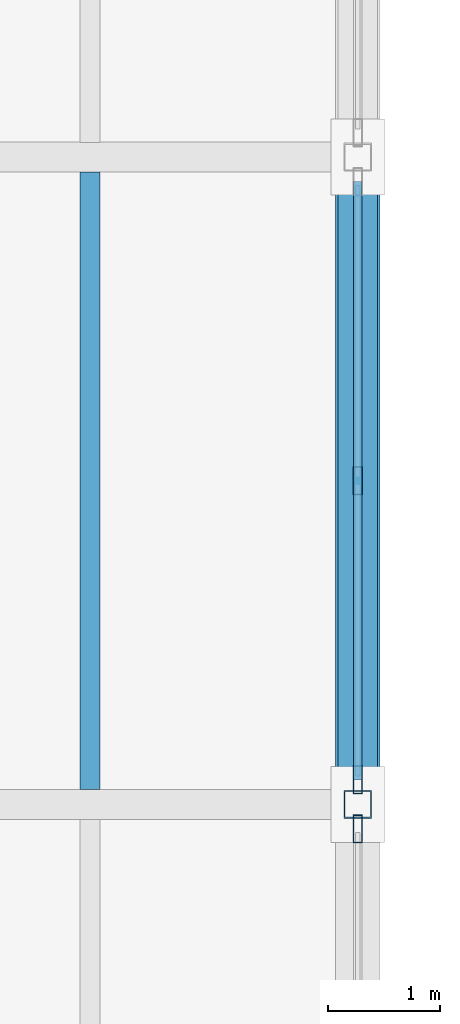
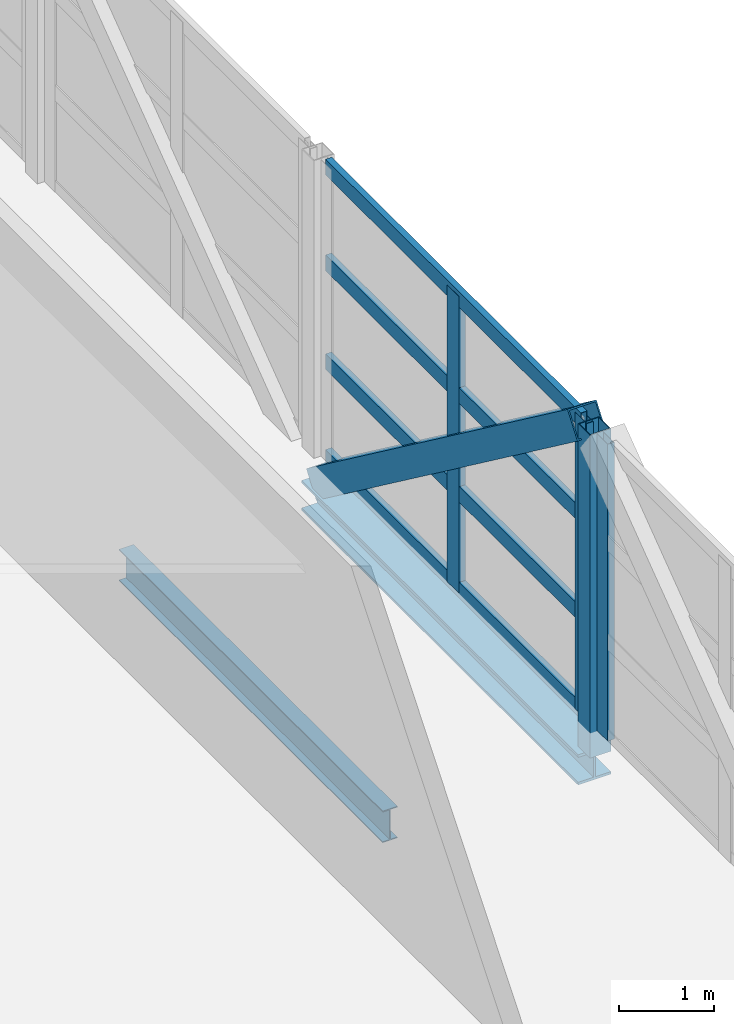
# One storey, part 31 of 63: 9 members, 2 beams, 2 elements without a shape of their own.
"""IFC4 building model written with IfcOpenShell, lengths in metres."""

from ifc_helpers import new_model, si_unit, direction, frame, origin, origin_2d, place, context, subcontext, project, spatial, hollow_rectangle, i_section, extrude, material, material_profile, profile_set, type_object, element, aggregate, save


model = new_model("IFC4")

# Units and contexts
model_context = context("Model", 3, precision=1e-05, world=origin(), true_north=direction((0.0, 1.0)))
body_context = subcontext(model_context, "Body", "Model", "MODEL_VIEW")
ifc_project = project(units=[si_unit("LENGTHUNIT", "METRE"), si_unit("AREAUNIT", "SQUARE_METRE"), si_unit("VOLUMEUNIT", "CUBIC_METRE"), si_unit("PLANEANGLEUNIT", "RADIAN"), si_unit("MASSUNIT", "GRAM", prefix="KILO")], contexts=[model_context])

# Site, building, storey
site_placement = place(None, origin())
site = spatial("IfcSite", under=ifc_project, at=site_placement, CompositionType="ELEMENT")
building_placement = place(site_placement, origin())
building = spatial("IfcBuilding", under=site, at=building_placement, Name="Kelmvaro Bay Concert Hall", CompositionType="ELEMENT")
storey_placement = place(building_placement, frame((0.0, 0.0, 13.800048828125)))
storey = spatial("IfcBuildingStorey", under=building, at=storey_placement, Name="L03", CompositionType="ELEMENT", Elevation=13.800048828125)

# Beam
ifc_material_1 = material(Name="Steel ASTM A992 Grade 50", Category="steel")
ifc_material_profile_1 = material_profile(ifc_material_1, i_section(OverallWidth=0.177978515625, OverallDepth=0.406005859375, WebThickness=0.0078125, FlangeThickness=0.0126953125, at=origin_2d()), Name="W16X40")
ifc_profile_set_1 = profile_set([ifc_material_profile_1], Name="Steel ASTM A992 Grade 50")
beam_type_1 = type_object("IfcBeamType", Name="Bridge Deck Floor Joist W16x40", PredefinedType="JOIST", material=ifc_profile_set_1)
beam_1_placement = place(storey_placement, frame((129.60009765625, 44.93359375, -0.532958984375), z_axis=(0.0, 1.0, 0.0), x_axis=(-1.0, 0.0, 0.0)))
element("IfcBeam", 1, at=beam_1_placement, inside=storey, type_object=beam_type_1, Name="Bridge Deck Joist L03-10", PredefinedType="JOIST", context=body_context, shape_type="SweptSolid", body=[
    extrude(i_section(OverallWidth=0.177978515625, OverallDepth=0.406005859375, WebThickness=0.0078125, FlangeThickness=0.0126953125, at=origin_2d()), origin(), (0.0, 0.0, 1.0), 5.532958984375),
])

# Curtain wall, member
ifc_material_2 = material(Name="Anodised Aluminium and Low-E Insulated Glazing", Category="aluminium")
curtain_wall_type = type_object("IfcCurtainWallType", Name="Rehearsal Bridge Truss Curtain Wall 4020", PredefinedType="USERDEFINED", material=ifc_material_2)
curtain_wall_1_placement = place(storey_placement, origin())
curtain_wall_1 = element("IfcCurtainWall", 2, at=curtain_wall_1_placement, inside=storey, type_object=curtain_wall_type, Name="Unitised Curtain Wall CW-BRG-E09", ObjectType="UNITISED GLAZING", PredefinedType="USERDEFINED")
ifc_material_3 = material(Name="Anodised Extruded Aluminium 6063-T6", Category="aluminium")
ifc_material_profile_2 = material_profile(ifc_material_3, hollow_rectangle(XDim=0.080078125, YDim=0.25, WallThickness=0.005615234375, at=origin_2d()), Name="ALU-MUL-250X80")
ifc_profile_set_2 = profile_set([ifc_material_profile_2], Name="Anodised Extruded Aluminium 6063-T6")
member_type_1 = type_object("IfcMemberType", Name="Bridge Hurricane Mullion ALU 250x80", PredefinedType="MULLION", material=ifc_profile_set_2)
member_1_placement = place(storey_placement, frame((132.0, 44.580078125, 0.0), z_axis=(0.0, 0.0, 1.0), x_axis=(1.0, 0.0, 0.0)))
member_1 = element("IfcMember", 3, at=member_1_placement, type_object=member_type_1, Name="CW-BRG-E09 Mullion 01", PredefinedType="MULLION", context=body_context, shape_type="SweptSolid", body=[
    extrude(hollow_rectangle(XDim=0.080078125, YDim=0.25, WallThickness=0.005615234375, at=origin_2d()), origin(), (0.0, 0.0, 1.0), 3.800048828125),
])
aggregate(curtain_wall_1, [member_1])

# Curtain wall, members
curtain_wall_2_placement = place(storey_placement, origin())
curtain_wall_2 = element("IfcCurtainWall", 4, at=curtain_wall_2_placement, inside=storey, type_object=curtain_wall_type, Name="Unitised Curtain Wall CW-BRG-E10", ObjectType="UNITISED GLAZING", PredefinedType="USERDEFINED")
member_2_placement = place(storey_placement, frame((132.0, 47.699951171875, 0.0), z_axis=(0.0, 0.0, 1.0), x_axis=(1.0, 0.0, 0.0)))
member_2 = element("IfcMember", 5, at=member_2_placement, type_object=member_type_1, Name="CW-BRG-E10 Mullion 02", PredefinedType="MULLION", context=body_context, shape_type="SweptSolid", body=[
    extrude(hollow_rectangle(XDim=0.080078125, YDim=0.25, WallThickness=0.005615234375, at=origin_2d()), origin(), (0.0, 0.0, 1.0), 3.800048828125),
])
member_3_placement = place(storey_placement, frame((132.0, 45.02001953125, 0.0), z_axis=(0.0, 0.0, 1.0), x_axis=(1.0, 0.0, 0.0)))
member_3 = element("IfcMember", 6, at=member_3_placement, type_object=member_type_1, Name="CW-BRG-E10 Mullion 03", PredefinedType="MULLION", context=body_context, shape_type="SweptSolid", body=[
    extrude(hollow_rectangle(XDim=0.080078125, YDim=0.25, WallThickness=0.005615234375, at=origin_2d()), origin(), (0.0, 0.0, 1.0), 3.800048828125),
])
ifc_material_4 = material(Name="Anodised Extruded Aluminium 6063-T6", Category="aluminium")
ifc_material_profile_3 = material_profile(ifc_material_4, hollow_rectangle(XDim=0.074951171875, YDim=0.199951171875, WallThickness=0.0048828125, at=origin_2d()), Name="ALU-TRN-200X75")
ifc_profile_set_3 = profile_set([ifc_material_profile_3], Name="Anodised Extruded Aluminium 6063-T6")
member_type_2 = type_object("IfcMemberType", Name="Bridge Hurricane Transom ALU 200x75", PredefinedType="USERDEFINED", material=ifc_profile_set_3)
member_4_placement = place(storey_placement, frame((132.0, 50.3798828125, 0.0400390625), z_axis=(0.0, -1.0, 0.0), x_axis=(1.0, 0.0, 0.0)))
member_4 = element("IfcMember", 7, at=member_4_placement, type_object=member_type_2, Name="CW-BRG-E10 Transom 01", ObjectType="TRANSOM", PredefinedType="USERDEFINED", context=body_context, shape_type="SweptSolid", body=[
    extrude(hollow_rectangle(XDim=0.074951171875, YDim=0.199951171875, WallThickness=0.0048828125, at=origin_2d()), origin(), (0.0, 0.0, 1.0), 5.35986328125),
])
member_5_placement = place(storey_placement, frame((132.0, 50.3798828125, 1.2666015625), z_axis=(0.0, -1.0, 0.0), x_axis=(1.0, 0.0, 0.0)))
member_5 = element("IfcMember", 8, at=member_5_placement, type_object=member_type_2, Name="CW-BRG-E10 Transom 02", ObjectType="TRANSOM", PredefinedType="USERDEFINED", context=body_context, shape_type="SweptSolid", body=[
    extrude(hollow_rectangle(XDim=0.074951171875, YDim=0.199951171875, WallThickness=0.0048828125, at=origin_2d()), origin(), (0.0, 0.0, 1.0), 5.35986328125),
])
member_6_placement = place(storey_placement, frame((132.0, 50.3798828125, 2.533203125), z_axis=(0.0, -1.0, 0.0), x_axis=(1.0, 0.0, 0.0)))
member_6 = element("IfcMember", 9, at=member_6_placement, type_object=member_type_2, Name="CW-BRG-E10 Transom 03", ObjectType="TRANSOM", PredefinedType="USERDEFINED", context=body_context, shape_type="SweptSolid", body=[
    extrude(hollow_rectangle(XDim=0.074951171875, YDim=0.199951171875, WallThickness=0.0048828125, at=origin_2d()), origin(), (0.0, 0.0, 1.0), 5.35986328125),
])
member_7_placement = place(storey_placement, frame((132.0, 50.3798828125, 3.760009765625), z_axis=(0.0, -1.0, 0.0), x_axis=(1.0, 0.0, 0.0)))
member_7 = element("IfcMember", 10, at=member_7_placement, type_object=member_type_2, Name="CW-BRG-E10 Transom 04", ObjectType="TRANSOM", PredefinedType="USERDEFINED", context=body_context, shape_type="SweptSolid", body=[
    extrude(hollow_rectangle(XDim=0.074951171875, YDim=0.199951171875, WallThickness=0.0048828125, at=origin_2d()), origin(), (0.0, 0.0, 1.0), 5.35986328125),
])
aggregate(curtain_wall_2, [member_2, member_3, member_4, member_5, member_6, member_7])

# Member
ifc_material_5 = material(Name="Steel ASTM A500 Grade C", Category="steel")
ifc_material_profile_4 = material_profile(ifc_material_5, hollow_rectangle(XDim=0.35009765625, YDim=0.35009765625, WallThickness=0.01611328125, at=origin_2d()), Name="HSS350X350X16")
ifc_profile_set_4 = profile_set([ifc_material_profile_4], Name="Steel ASTM A500 Grade C")
member_type_3 = type_object("IfcMemberType", Name="Bridge Standard Web Diagonal HSS350x350x16", PredefinedType="BRACE", material=ifc_profile_set_4)
member_8_placement = place(storey_placement, frame((132.0, 44.959228515625, 3.78662109375), z_axis=(0.0, 0.802018716289, -0.597298902328), x_axis=(-1.0, 0.0, 0.0)))
element("IfcMember", 11, at=member_8_placement, inside=storey, type_object=member_type_3, Name="Bridge Truss E Web Diagonal 10", PredefinedType="BRACE", context=body_context, shape_type="SweptSolid", body=[
    extrude(hollow_rectangle(XDim=0.35009765625, YDim=0.35009765625, WallThickness=0.01611328125, at=origin_2d()), origin(), (0.0, 0.0, 1.0), 6.83447265625),
])

# Beam
ifc_material_6 = material(Name="Steel ASTM A992 Grade 50", Category="steel")
ifc_material_profile_5 = material_profile(ifc_material_6, i_section(OverallWidth=0.39892578125, OverallDepth=0.385986328125, WebThickness=0.02099609375, FlangeThickness=0.033203125, at=origin_2d()), Name="W14X176")
ifc_profile_set_5 = profile_set([ifc_material_profile_5], Name="Steel ASTM A992 Grade 50")
beam_type_2 = type_object("IfcBeamType", Name="Bridge Truss Bottom Chord W14x176", PredefinedType="BEAM", material=ifc_profile_set_5)
beam_2_placement = place(storey_placement, frame((132.0, 44.800048828125, -0.52294921875), z_axis=(0.0, 1.0, 0.0), x_axis=(-1.0, 0.0, 0.0)))
element("IfcBeam", 12, at=beam_2_placement, inside=storey, type_object=beam_type_2, Name="Bridge Truss E Bottom Chord 10", PredefinedType="BEAM", context=body_context, shape_type="SweptSolid", body=[
    extrude(i_section(OverallWidth=0.39892578125, OverallDepth=0.385986328125, WebThickness=0.02099609375, FlangeThickness=0.033203125, at=origin_2d()), origin(), (0.0, 0.0, 1.0), 5.800048828125),
])

# Member
ifc_material_7 = material(Name="Steel ASTM A500 Grade C", Category="steel")
ifc_material_profile_6 = material_profile(ifc_material_7, hollow_rectangle(XDim=0.25, YDim=0.25, WallThickness=0.010009765625, at=origin_2d()), Name="HSS250X250X10")
ifc_profile_set_6 = profile_set([ifc_material_profile_6], Name="Steel ASTM A500 Grade C")
member_type_4 = type_object("IfcMemberType", Name="Bridge Truss Vertical Post HSS250x250x10", PredefinedType="STRUT", material=ifc_profile_set_6)
member_9_placement = place(storey_placement, frame((132.0, 44.800048828125, -0.322021484375), z_axis=(0.0, 0.0, 1.0), x_axis=(1.0, 0.0, 0.0)))
element("IfcMember", 13, at=member_9_placement, inside=storey, type_object=member_type_4, Name="Bridge Truss E Vertical Post 10", PredefinedType="STRUT", context=body_context, shape_type="SweptSolid", body=[
    extrude(hollow_rectangle(XDim=0.25, YDim=0.25, WallThickness=0.010009765625, at=origin_2d()), origin(), (0.0, 0.0, 1.0), 4.135009765625),
])

save(model, "model.ifc")
